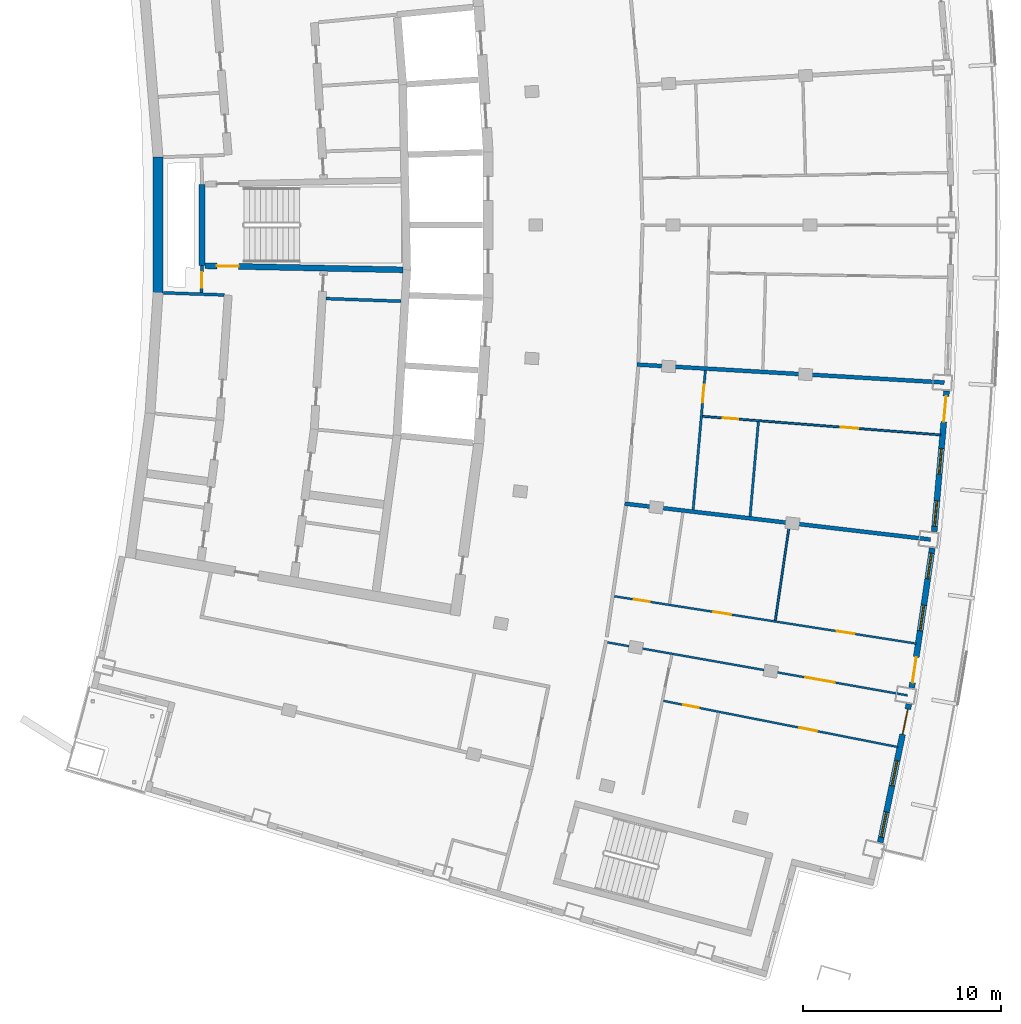
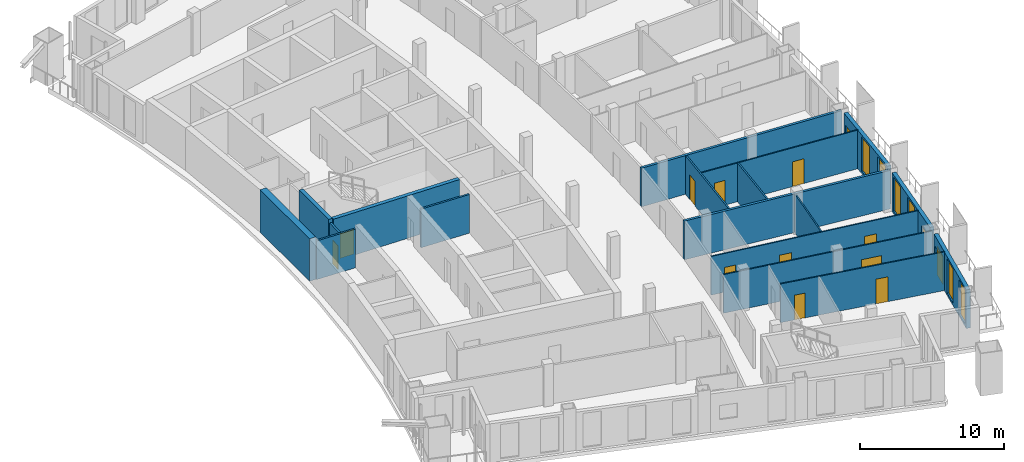
# One storey, part 9 of 17: 18 walls, 14 doors, 6 windows, 20 openings.
"""IFC4 building model written with IfcOpenShell, lengths in metres."""

from ifc_helpers import new_model, si_unit, direction, frame, frame_2d, origin, place, context, subcontext, project, spatial, rectangle, extrude, material, layer, layer_set, type_object, element, fill, save


model = new_model("IFC4")

# Units and contexts
model_context = context("Model", 3, precision=1e-05, world=origin(), true_north=direction((0.0, 1.0)))
body_context = subcontext(model_context, "Body", "Model", "MODEL_VIEW")
ifc_project = project(units=[si_unit("LENGTHUNIT", "METRE"), si_unit("AREAUNIT", "SQUARE_METRE"), si_unit("VOLUMEUNIT", "CUBIC_METRE"), si_unit("PLANEANGLEUNIT", "RADIAN"), si_unit("MASSUNIT", "GRAM", prefix="KILO")], contexts=[model_context])

# Site, building, storey
site_placement = place(None, origin())
site = spatial("IfcSite", under=ifc_project, at=site_placement, CompositionType="ELEMENT")
building_placement = place(site_placement, origin())
building = spatial("IfcBuilding", under=site, at=building_placement, Name="Alderwake Tower", CompositionType="ELEMENT")
storey_placement = place(building_placement, frame((0.0, 0.0, 260.0)))
storey = spatial("IfcBuildingStorey", under=building, at=storey_placement, Name="L64", CompositionType="ELEMENT", Elevation=260.0)

# Wall
ifc_material_1 = material(Name="Gypsum shaft wall system, rated")
ifc_layer_1 = layer(ifc_material_1, 0.14990234375)
ifc_layer_set_1 = layer_set([ifc_layer_1], Name="Core riser partition 150")
wall_type_1 = type_object("IfcWallType", Name="Core riser partition 150", PredefinedType="PARTITIONING", material=ifc_layer_set_1)
wall_1_placement = place(storey_placement, frame((25.1904296875, 57.276611328125, 0.0), z_axis=(0.0, 0.0, 1.0), x_axis=(0.999373547283, -0.03539086028, 0.0)))
element("IfcWall", 1, at=wall_1_placement, inside=storey, type_object=wall_type_1, Name="CW/L64/PR-37_+86", PredefinedType="PARTITIONING", context=body_context, shape_type="SweptSolid", body=[
    extrude(rectangle(XDim=3.794189453125, YDim=0.14990234375, at=frame_2d((1.89697265625, 0.0))), origin(), (0.0, 0.0, 1.0), 3.280029296875),
])

# Wall, opening, door
ifc_material_2 = material(Name="Gypsum shaft wall system, rated")
ifc_layer_2 = layer(ifc_material_2, 0.14990234375)
ifc_layer_set_2 = layer_set([ifc_layer_2], Name="Core room partition 150")
wall_type_2 = type_object("IfcWallType", Name="Core room partition 150", PredefinedType="PARTITIONING", material=ifc_layer_set_2)
wall_2_placement = place(storey_placement, frame((18.918701171875, 58.94384765625, 0.0), z_axis=(0.0, 0.0, 1.0), x_axis=(-0.027811602725, -0.999613182563, 0.0)))
wall_2 = element("IfcWall", 2, at=wall_2_placement, inside=storey, type_object=wall_type_2, Name="CW/L64/PA+24_-37", PredefinedType="PARTITIONING", context=body_context, shape_type="SweptSolid", body=[
    extrude(rectangle(XDim=1.369384765625, YDim=0.14990234375, at=frame_2d((0.6845703125, 0.0))), origin(), (0.0, 0.0, 1.0), 3.280029296875),
])
opening_1_placement = place(wall_2_placement, frame((0.322998046875, 0.0, 0.0)))
opening_1 = element("IfcOpeningElement", 3, at=opening_1_placement, cuts=wall_2, Name="Opening C004", PredefinedType="OPENING", context=body_context, shape_type="SweptSolid", body=[
    extrude(rectangle(XDim=0.800048828125, YDim=2.0, at=frame_2d((0.39990234375, 1.0))), frame((0.0, 0.0849609375, 0.0), z_axis=(0.0, -1.0, 0.0), x_axis=(1.0, 0.0, 0.0)), (0.0, 0.0, 1.0), 0.169921875),
])
ifc_material_3 = material(Name="Painted steel leaf, rated", Category="steel")
door_type_1 = type_object("IfcDoorType", Name="Riser access door 800", OperationType="SINGLE_SWING_LEFT", PredefinedType="DOOR", material=ifc_material_3)
door_1_placement = place(opening_1_placement, origin())
door_1 = element("IfcDoor", 4, at=door_1_placement, inside=storey, type_object=door_type_1, Name="Riser access door", OperationType="SINGLE_SWING_RIGHT", OverallHeight=2.0, OverallWidth=0.800048828125, PredefinedType="DOOR", context=body_context, shape_type="SweptSolid", body=[
    extrude(rectangle(XDim=0.800048828125, YDim=2.0, at=frame_2d((0.39990234375, 1.0))), frame((0.0, 0.02490234375, 0.0), z_axis=(0.0, -1.0, 0.0), x_axis=(1.0, 0.0, 0.0)), (0.0, 0.0, 1.0), 0.050048828125),
])
fill(opening_1, door_1)

# Walls
wall_3_placement = place(storey_placement, frame((16.969482421875, 57.5673828125, 0.0), z_axis=(0.0, 0.0, 1.0), x_axis=(0.999376258731, -0.035314210814, 0.0)))
element("IfcWall", 5, at=wall_3_placement, inside=storey, type_object=wall_type_2, Name="CW/L64/PR-37_+0", PredefinedType="PARTITIONING", context=body_context, shape_type="SweptSolid", body=[
    extrude(rectangle(XDim=3.069580078125, YDim=0.14990234375, at=frame_2d((1.53466796875, 0.0))), origin(), (0.0, 0.0, 1.0), 3.280029296875),
])
ifc_material_4 = material(Name="Concrete C70/85", Category="concrete")
ifc_layer_3 = layer(ifc_material_4, 0.5)
ifc_layer_set_3 = layer_set([ifc_layer_3], Name="Core wall outer 500 C70-85")
wall_type_3 = type_object("IfcWallType", Name="Core wall outer 500 C70-85", PredefinedType="SHEAR", material=ifc_layer_set_3)
wall_4_placement = place(storey_placement, frame((16.689453125, 57.568603515625, 0.0), z_axis=(0.0, 0.0, 1.0), x_axis=(0.0, 1.0, 0.0)))
element("IfcWall", 6, at=wall_4_placement, inside=storey, type_object=wall_type_3, Name="Core wall CW.029", PredefinedType="SHEAR", context=body_context, shape_type="SweptSolid", body=[
    extrude(rectangle(XDim=6.86474609375, YDim=0.5, at=frame_2d((3.432373046875, 0.0))), origin(), (0.0, 0.0, 1.0), 3.60009765625),
])
ifc_material_5 = material(Name="Concrete C70/85", Category="concrete")
ifc_layer_4 = layer(ifc_material_5, 0.300048828125)
ifc_layer_set_4 = layer_set([ifc_layer_4], Name="Core wall stair enclosure 300 C70-85")
wall_type_4 = type_object("IfcWallType", Name="Core wall stair enclosure 300 C70-85", PredefinedType="SHEAR", material=ifc_layer_set_4)
wall_5_placement = place(storey_placement, frame((18.918701171875, 58.940673828125, 0.0), z_axis=(0.0, 0.0, 1.0), x_axis=(0.0, 1.0, 0.0)))
element("IfcWall", 7, at=wall_5_placement, inside=storey, type_object=wall_type_4, Name="Core wall CW.024", PredefinedType="SHEAR", context=body_context, shape_type="SweptSolid", body=[
    extrude(rectangle(XDim=4.11962890625, YDim=0.300048828125, at=frame_2d((2.059814453125, 0.0))), origin(), (0.0, 0.0, 1.0), 3.60009765625),
])

# Wall, opening, door
wall_6_placement = place(storey_placement, frame((29.076416015625, 58.73095703125, 0.0), z_axis=(0.0, 0.0, 1.0), x_axis=(-0.99978356433, 0.020804434533, 0.0)))
wall_6 = element("IfcWall", 8, at=wall_6_placement, inside=storey, type_object=wall_type_4, Name="Core wall CW.074", PredefinedType="SHEAR", context=body_context, shape_type="SweptSolid", body=[
    extrude(rectangle(XDim=10.010009765625, YDim=0.300048828125, at=frame_2d((5.0048828125, 0.0))), origin(), (0.0, 0.0, 1.0), 3.60009765625),
])
opening_2_placement = place(wall_6_placement, frame((8.309814453125, 0.0, 0.0)))
opening_2 = element("IfcOpeningElement", 9, at=opening_2_placement, cuts=wall_6, Name="Opening C063", PredefinedType="OPENING", context=body_context, shape_type="SweptSolid", body=[
    extrude(rectangle(XDim=1.10009765625, YDim=2.10009765625, at=frame_2d((0.550048828125, 1.050048828125))), frame((0.0, 0.159912109375, 0.0), z_axis=(0.0, -1.0, 0.0), x_axis=(1.0, 0.0, 0.0)), (0.0, 0.0, 1.0), 0.320068359375),
])
ifc_material_6 = material(Name="Steel-framed fire door leaf", Category="steel")
door_type_2 = type_object("IfcDoorType", Name="Core stair door 1100 fire-rated", OperationType="SINGLE_SWING_LEFT", PredefinedType="DOOR", material=ifc_material_6)
door_2_placement = place(opening_2_placement, origin())
door_2 = element("IfcDoor", 10, at=door_2_placement, inside=storey, type_object=door_type_2, Name="Stair door", OperationType="SINGLE_SWING_RIGHT", OverallHeight=2.10009765625, OverallWidth=1.10009765625, PredefinedType="DOOR", context=body_context, shape_type="SweptSolid", body=[
    extrude(rectangle(XDim=1.10009765625, YDim=2.10009765625, at=frame_2d((0.550048828125, 1.050048828125))), frame((0.0, 0.02490234375, 0.0), z_axis=(0.0, -1.0, 0.0), x_axis=(1.0, 0.0, 0.0)), (0.0, 0.0, 1.0), 0.050048828125),
])
fill(opening_2, door_2)

# Wall, openings, door, windows
ifc_material_7 = material(Name="Precast concrete C50/60 spandrel panel", Category="concrete")
ifc_layer_5 = layer(ifc_material_7, 0.300048828125)
ifc_layer_set_5 = layer_set([ifc_layer_5], Name="External wall EW1 Precast concrete C50/60 spandrel")
wall_type_5 = type_object("IfcWallType", Name="External wall EW1 Precast concrete C50/60 spandrel", PredefinedType="SOLIDWALL", material=ifc_layer_set_5)
wall_7_placement = place(storey_placement, frame((53.226806640625, 29.770263671875, 0.0), z_axis=(0.0, 0.0, 1.0), x_axis=(0.202780898279, 0.979224135371, 0.0)))
wall_7 = element("IfcWall", 11, at=wall_7_placement, inside=storey, type_object=wall_type_5, Name="External wall 12", PredefinedType="SOLIDWALL", context=body_context, shape_type="SweptSolid", body=[
    extrude(rectangle(XDim=7.13818359375, YDim=0.300048828125, at=frame_2d((3.569091796875, 0.0))), origin(), (0.0, 0.0, 1.0), 3.280029296875),
])
opening_3_placement = place(wall_7_placement, frame((0.263427734375, 0.0, 0.199951171875)))
opening_3 = element("IfcOpeningElement", 12, at=opening_3_placement, cuts=wall_7, Name="Opening W1", PredefinedType="OPENING", context=body_context, shape_type="SweptSolid", body=[
    extrude(rectangle(XDim=1.300048828125, YDim=2.89990234375, at=frame_2d((0.64990234375, 1.449951171875))), frame((0.0, 0.159912109375, 0.0), z_axis=(0.0, -1.0, 0.0), x_axis=(1.0, 0.0, 0.0)), (0.0, 0.0, 1.0), 0.320068359375),
])
opening_4_placement = place(wall_7_placement, frame((2.919189453125, 0.0, 0.199951171875)))
opening_4 = element("IfcOpeningElement", 13, at=opening_4_placement, cuts=wall_7, Name="Opening W1", PredefinedType="OPENING", context=body_context, shape_type="SweptSolid", body=[
    extrude(rectangle(XDim=1.300048828125, YDim=2.89990234375, at=frame_2d((0.64990234375, 1.449951171875))), frame((0.0, 0.159912109375, 0.0), z_axis=(0.0, -1.0, 0.0), x_axis=(1.0, 0.0, 0.0)), (0.0, 0.0, 1.0), 0.320068359375),
])
opening_5_placement = place(wall_7_placement, frame((5.574951171875, 0.0, 0.0)))
opening_5 = element("IfcOpeningElement", 14, at=opening_5_placement, cuts=wall_7, Name="Opening D02", PredefinedType="OPENING", context=body_context, shape_type="SweptSolid", body=[
    extrude(rectangle(XDim=1.300048828125, YDim=2.39990234375, at=frame_2d((0.64990234375, 1.199951171875))), frame((0.0, 0.159912109375, 0.0), z_axis=(0.0, -1.0, 0.0), x_axis=(1.0, 0.0, 0.0)), (0.0, 0.0, 1.0), 0.320068359375),
])
ifc_material_8 = material(Name="Bronze tinted glass in aluminium frame", Category="aluminium")
door_type_3 = type_object("IfcDoorType", Name="Balcony door BD sliding", OperationType="SLIDING_TO_LEFT", PredefinedType="DOOR", material=ifc_material_8)
door_3_placement = place(opening_5_placement, origin())
door_3 = element("IfcDoor", 15, at=door_3_placement, inside=storey, type_object=door_type_3, Name="Door D02", OperationType="SLIDING_TO_LEFT", OverallHeight=2.39990234375, OverallWidth=1.300048828125, PredefinedType="DOOR", context=body_context, shape_type="SweptSolid", body=[
    extrude(rectangle(XDim=1.300048828125, YDim=2.39990234375, at=frame_2d((0.64990234375, 1.199951171875))), frame((0.0, 0.02490234375, 0.0), z_axis=(0.0, -1.0, 0.0), x_axis=(1.0, 0.0, 0.0)), (0.0, 0.0, 1.0), 0.050048828125),
])
fill(opening_5, door_3)
ifc_material_9 = material(Name="Bronze tinted glass in aluminium frame", Category="aluminium")
window_type = type_object("IfcWindowType", Name="Window W1 tall fixed and vent", PartitioningType="DOUBLE_PANEL_VERTICAL", PredefinedType="WINDOW", material=ifc_material_9)
window_1_placement = place(opening_3_placement, origin())
window_1 = element("IfcWindow", 16, at=window_1_placement, inside=storey, type_object=window_type, Name="Window W1 tall fixed and vent", OverallHeight=2.89990234375, OverallWidth=1.300048828125, PartitioningType="DOUBLE_PANEL_VERTICAL", PredefinedType="WINDOW", context=body_context, shape_type="SweptSolid", body=[
    extrude(rectangle(XDim=1.300048828125, YDim=2.89990234375, at=frame_2d((0.64990234375, 1.449951171875))), frame((0.0, 0.030029296875, 0.0), z_axis=(0.0, -1.0, 0.0), x_axis=(1.0, 0.0, 0.0)), (0.0, 0.0, 1.0), 0.06005859375),
])
fill(opening_3, window_1)
window_2_placement = place(opening_4_placement, origin())
window_2 = element("IfcWindow", 17, at=window_2_placement, inside=storey, type_object=window_type, Name="Window W1 tall fixed and vent", OverallHeight=2.89990234375, OverallWidth=1.300048828125, PartitioningType="DOUBLE_PANEL_VERTICAL", PredefinedType="WINDOW", context=body_context, shape_type="SweptSolid", body=[
    extrude(rectangle(XDim=1.300048828125, YDim=2.89990234375, at=frame_2d((0.64990234375, 1.449951171875))), frame((0.0, 0.030029296875, 0.0), z_axis=(0.0, -1.0, 0.0), x_axis=(1.0, 0.0, 0.0)), (0.0, 0.0, 1.0), 0.06005859375),
])
fill(opening_4, window_2)

wall_8_placement = place(storey_placement, frame((54.821044921875, 37.590576171875, 0.0), z_axis=(0.0, 0.0, 1.0), x_axis=(0.145317744338, 0.98938503788, 0.0)))
wall_8 = element("IfcWall", 18, at=wall_8_placement, inside=storey, type_object=wall_type_5, Name="External wall 13", PredefinedType="SOLIDWALL", context=body_context, shape_type="SweptSolid", body=[
    extrude(rectangle(XDim=7.138427734375, YDim=0.300048828125, at=frame_2d((3.5693359375, 0.0))), origin(), (0.0, 0.0, 1.0), 3.280029296875),
])
opening_6_placement = place(wall_8_placement, frame((0.263427734375, 0.0, 0.0)))
opening_6 = element("IfcOpeningElement", 19, at=opening_6_placement, cuts=wall_8, Name="Opening D03", PredefinedType="OPENING", context=body_context, shape_type="SweptSolid", body=[
    extrude(rectangle(XDim=1.300048828125, YDim=2.39990234375, at=frame_2d((0.64990234375, 1.199951171875))), frame((0.0, 0.159912109375, 0.0), z_axis=(0.0, -1.0, 0.0), x_axis=(1.0, 0.0, 0.0)), (0.0, 0.0, 1.0), 0.320068359375),
])
opening_7_placement = place(wall_8_placement, frame((2.919189453125, 0.0, 0.199951171875)))
opening_7 = element("IfcOpeningElement", 20, at=opening_7_placement, cuts=wall_8, Name="Opening W1", PredefinedType="OPENING", context=body_context, shape_type="SweptSolid", body=[
    extrude(rectangle(XDim=1.300048828125, YDim=2.89990234375, at=frame_2d((0.64990234375, 1.449951171875))), frame((0.0, 0.159912109375, 0.0), z_axis=(0.0, -1.0, 0.0), x_axis=(1.0, 0.0, 0.0)), (0.0, 0.0, 1.0), 0.320068359375),
])
opening_8_placement = place(wall_8_placement, frame((5.574951171875, 0.0, 0.199951171875)))
opening_8 = element("IfcOpeningElement", 21, at=opening_8_placement, cuts=wall_8, Name="Opening W1", PredefinedType="OPENING", context=body_context, shape_type="SweptSolid", body=[
    extrude(rectangle(XDim=1.300048828125, YDim=2.89990234375, at=frame_2d((0.64990234375, 1.449951171875))), frame((0.0, 0.159912109375, 0.0), z_axis=(0.0, -1.0, 0.0), x_axis=(1.0, 0.0, 0.0)), (0.0, 0.0, 1.0), 0.320068359375),
])
door_4_placement = place(opening_6_placement, origin())
door_4 = element("IfcDoor", 22, at=door_4_placement, inside=storey, type_object=door_type_3, Name="Door D03", OperationType="SLIDING_TO_LEFT", OverallHeight=2.39990234375, OverallWidth=1.300048828125, PredefinedType="DOOR", context=body_context, shape_type="SweptSolid", body=[
    extrude(rectangle(XDim=1.300048828125, YDim=2.39990234375, at=frame_2d((0.64990234375, 1.199951171875))), frame((0.0, 0.02490234375, 0.0), z_axis=(0.0, -1.0, 0.0), x_axis=(1.0, 0.0, 0.0)), (0.0, 0.0, 1.0), 0.050048828125),
])
fill(opening_6, door_4)
window_3_placement = place(opening_7_placement, origin())
window_3 = element("IfcWindow", 23, at=window_3_placement, inside=storey, type_object=window_type, Name="Window W1 tall fixed and vent", OverallHeight=2.89990234375, OverallWidth=1.300048828125, PartitioningType="DOUBLE_PANEL_VERTICAL", PredefinedType="WINDOW", context=body_context, shape_type="SweptSolid", body=[
    extrude(rectangle(XDim=1.300048828125, YDim=2.89990234375, at=frame_2d((0.64990234375, 1.449951171875))), frame((0.0, 0.030029296875, 0.0), z_axis=(0.0, -1.0, 0.0), x_axis=(1.0, 0.0, 0.0)), (0.0, 0.0, 1.0), 0.06005859375),
])
fill(opening_7, window_3)
window_4_placement = place(opening_8_placement, origin())
window_4 = element("IfcWindow", 24, at=window_4_placement, inside=storey, type_object=window_type, Name="Window W1 tall fixed and vent", OverallHeight=2.89990234375, OverallWidth=1.300048828125, PartitioningType="DOUBLE_PANEL_VERTICAL", PredefinedType="WINDOW", context=body_context, shape_type="SweptSolid", body=[
    extrude(rectangle(XDim=1.300048828125, YDim=2.89990234375, at=frame_2d((0.64990234375, 1.449951171875))), frame((0.0, 0.030029296875, 0.0), z_axis=(0.0, -1.0, 0.0), x_axis=(1.0, 0.0, 0.0)), (0.0, 0.0, 1.0), 0.06005859375),
])
fill(opening_8, window_4)

wall_9_placement = place(storey_placement, frame((55.95654296875, 45.490478515625, 0.0), z_axis=(0.0, 0.0, 1.0), x_axis=(0.087383747715, 0.996174723949, 0.0)))
wall_9 = element("IfcWall", 25, at=wall_9_placement, inside=storey, type_object=wall_type_5, Name="External wall 14", PredefinedType="SOLIDWALL", context=body_context, shape_type="SweptSolid", body=[
    extrude(rectangle(XDim=7.138427734375, YDim=0.300048828125, at=frame_2d((3.5693359375, 0.0))), origin(), (0.0, 0.0, 1.0), 3.280029296875),
])
opening_9_placement = place(wall_9_placement, frame((0.263427734375, 0.0, 0.199951171875)))
opening_9 = element("IfcOpeningElement", 26, at=opening_9_placement, cuts=wall_9, Name="Opening W1", PredefinedType="OPENING", context=body_context, shape_type="SweptSolid", body=[
    extrude(rectangle(XDim=1.300048828125, YDim=2.89990234375, at=frame_2d((0.64990234375, 1.449951171875))), frame((0.0, 0.159912109375, 0.0), z_axis=(0.0, -1.0, 0.0), x_axis=(1.0, 0.0, 0.0)), (0.0, 0.0, 1.0), 0.320068359375),
])
opening_10_placement = place(wall_9_placement, frame((2.919189453125, 0.0, 0.199951171875)))
opening_10 = element("IfcOpeningElement", 27, at=opening_10_placement, cuts=wall_9, Name="Opening W1", PredefinedType="OPENING", context=body_context, shape_type="SweptSolid", body=[
    extrude(rectangle(XDim=1.300048828125, YDim=2.89990234375, at=frame_2d((0.64990234375, 1.449951171875))), frame((0.0, 0.159912109375, 0.0), z_axis=(0.0, -1.0, 0.0), x_axis=(1.0, 0.0, 0.0)), (0.0, 0.0, 1.0), 0.320068359375),
])
opening_11_placement = place(wall_9_placement, frame((5.574951171875, 0.0, 0.0)))
opening_11 = element("IfcOpeningElement", 28, at=opening_11_placement, cuts=wall_9, Name="Opening D04", PredefinedType="OPENING", context=body_context, shape_type="SweptSolid", body=[
    extrude(rectangle(XDim=1.300048828125, YDim=2.39990234375, at=frame_2d((0.64990234375, 1.199951171875))), frame((0.0, 0.159912109375, 0.0), z_axis=(0.0, -1.0, 0.0), x_axis=(1.0, 0.0, 0.0)), (0.0, 0.0, 1.0), 0.320068359375),
])
door_5_placement = place(opening_11_placement, origin())
door_5 = element("IfcDoor", 29, at=door_5_placement, inside=storey, type_object=door_type_3, Name="Door D04", OperationType="SLIDING_TO_LEFT", OverallHeight=2.39990234375, OverallWidth=1.300048828125, PredefinedType="DOOR", context=body_context, shape_type="SweptSolid", body=[
    extrude(rectangle(XDim=1.300048828125, YDim=2.39990234375, at=frame_2d((0.64990234375, 1.199951171875))), frame((0.0, 0.02490234375, 0.0), z_axis=(0.0, -1.0, 0.0), x_axis=(1.0, 0.0, 0.0)), (0.0, 0.0, 1.0), 0.050048828125),
])
fill(opening_11, door_5)
window_5_placement = place(opening_9_placement, origin())
window_5 = element("IfcWindow", 30, at=window_5_placement, inside=storey, type_object=window_type, Name="Window W1 tall fixed and vent", OverallHeight=2.89990234375, OverallWidth=1.300048828125, PartitioningType="DOUBLE_PANEL_VERTICAL", PredefinedType="WINDOW", context=body_context, shape_type="SweptSolid", body=[
    extrude(rectangle(XDim=1.300048828125, YDim=2.89990234375, at=frame_2d((0.64990234375, 1.449951171875))), frame((0.0, 0.030029296875, 0.0), z_axis=(0.0, -1.0, 0.0), x_axis=(1.0, 0.0, 0.0)), (0.0, 0.0, 1.0), 0.06005859375),
])
fill(opening_9, window_5)
window_6_placement = place(opening_10_placement, origin())
window_6 = element("IfcWindow", 31, at=window_6_placement, inside=storey, type_object=window_type, Name="Window W1 tall fixed and vent", OverallHeight=2.89990234375, OverallWidth=1.300048828125, PartitioningType="DOUBLE_PANEL_VERTICAL", PredefinedType="WINDOW", context=body_context, shape_type="SweptSolid", body=[
    extrude(rectangle(XDim=1.300048828125, YDim=2.89990234375, at=frame_2d((0.64990234375, 1.449951171875))), frame((0.0, 0.030029296875, 0.0), z_axis=(0.0, -1.0, 0.0), x_axis=(1.0, 0.0, 0.0)), (0.0, 0.0, 1.0), 0.06005859375),
])
fill(opening_10, window_6)

# Walls
ifc_material_10 = material(Name="Dense block masonry wall", Category="masonry")
ifc_layer_6 = layer(ifc_material_10, 0.199951171875)
ifc_layer_set_6 = layer_set([ifc_layer_6], Name="Party wall 200")
wall_type_6 = type_object("IfcWallType", Name="Party wall 200", PredefinedType="SOLIDWALL", material=ifc_layer_set_6)
wall_10_placement = place(storey_placement, frame((40.297607421875, 46.90234375, 0.0), z_axis=(0.0, 0.0, 1.0), x_axis=(0.993186713738, -0.116533907745, 0.0)))
element("IfcWall", 32, at=wall_10_placement, inside=storey, type_object=wall_type_6, Name="WL/L64/W01", PredefinedType="SOLIDWALL", context=body_context, shape_type="SweptSolid", body=[
    extrude(rectangle(XDim=15.57861328125, YDim=0.199951171875, at=frame_2d((7.789306640625, 0.0))), origin(), (0.0, 0.0, 1.0), 3.280029296875),
])
wall_11_placement = place(storey_placement, frame((56.466064453125, 53.031005859375, 0.0), z_axis=(0.0, 0.0, 1.0), x_axis=(-0.998300806671, 0.058270913845, 0.0)))
element("IfcWall", 33, at=wall_11_placement, inside=storey, type_object=wall_type_6, Name="WL/L64/W03", PredefinedType="SOLIDWALL", context=body_context, shape_type="SweptSolid", body=[
    extrude(rectangle(XDim=15.577392578125, YDim=0.199951171875, at=frame_2d((7.78857421875, 0.0))), origin(), (0.0, 0.0, 1.0), 3.280029296875),
])

# Wall, opening, door
ifc_material_11 = material(Name="Gypsum board on metal studs")
ifc_layer_7 = layer(ifc_material_11, 0.10009765625)
ifc_layer_set_7 = layer_set([ifc_layer_7], Name="Unit partition 100")
wall_type_7 = type_object("IfcWallType", Name="Unit partition 100", PredefinedType="PARTITIONING", material=ifc_layer_set_7)
wall_12_placement = place(storey_placement, frame((39.4267578125, 39.883056640625, 0.0), z_axis=(0.0, 0.0, 1.0), x_axis=(0.984746399753, -0.173995770564, 0.0)))
wall_12 = element("IfcWall", 34, at=wall_12_placement, inside=storey, type_object=wall_type_7, Name="WL/L64/W44", PredefinedType="PARTITIONING", context=body_context, shape_type="SweptSolid", body=[
    extrude(rectangle(XDim=15.42041015625, YDim=0.10009765625, at=frame_2d((7.710205078125, 0.0))), origin(), (0.0, 0.0, 1.0), 3.280029296875),
])
opening_12_placement = place(wall_12_placement, frame((10.17431640625, 0.0, 0.0)))
opening_12 = element("IfcOpeningElement", 35, at=opening_12_placement, cuts=wall_12, Name="Opening R18-U03.8", PredefinedType="OPENING", context=body_context, shape_type="SweptSolid", body=[
    extrude(rectangle(XDim=1.5, YDim=2.10009765625, at=frame_2d((0.75, 1.050048828125))), frame((0.0, 0.06005859375, 0.0), z_axis=(0.0, -1.0, 0.0), x_axis=(1.0, 0.0, 0.0)), (0.0, 0.0, 1.0), 0.1201171875),
])
ifc_material_12 = material(Name="Painted timber leaves", Category="wood")
door_type_4 = type_object("IfcDoorType", Name="Double leaf door 1500", OperationType="DOUBLE_DOOR_SINGLE_SWING", PredefinedType="DOOR", material=ifc_material_12)
door_6_placement = place(opening_12_placement, origin())
door_6 = element("IfcDoor", 36, at=door_6_placement, inside=storey, type_object=door_type_4, Name="DR/L64/U03.8", OperationType="DOUBLE_DOOR_SINGLE_SWING", OverallHeight=2.10009765625, OverallWidth=1.5, PredefinedType="DOOR", context=body_context, shape_type="SweptSolid", body=[
    extrude(rectangle(XDim=1.5, YDim=2.10009765625, at=frame_2d((0.75, 1.050048828125))), frame((0.0, 0.02490234375, 0.0), z_axis=(0.0, -1.0, 0.0), x_axis=(1.0, 0.0, 0.0)), (0.0, 0.0, 1.0), 0.050048828125),
])
fill(opening_12, door_6)

# Wall, openings, doors
wall_13_placement = place(storey_placement, frame((39.76904296875, 42.215576171875, 0.0), z_axis=(0.0, 0.0, 1.0), x_axis=(0.987949269918, -0.15477803484, 0.0)))
wall_13 = element("IfcWall", 37, at=wall_13_placement, inside=storey, type_object=wall_type_7, Name="WL/L64/W45", PredefinedType="PARTITIONING", context=body_context, shape_type="SweptSolid", body=[
    extrude(rectangle(XDim=15.46435546875, YDim=0.10009765625, at=frame_2d((7.732177734375, 0.0))), origin(), (0.0, 0.0, 1.0), 3.280029296875),
])
opening_13_placement = place(wall_13_placement, frame((5.07958984375, 0.0, 0.0)))
opening_13 = element("IfcOpeningElement", 38, at=opening_13_placement, cuts=wall_13, Name="Opening R18-U03.5", PredefinedType="OPENING", context=body_context, shape_type="SweptSolid", body=[
    extrude(rectangle(XDim=0.89990234375, YDim=2.10009765625, at=frame_2d((0.449951171875, 1.050048828125))), frame((0.0, 0.06005859375, 0.0), z_axis=(0.0, -1.0, 0.0), x_axis=(1.0, 0.0, 0.0)), (0.0, 0.0, 1.0), 0.1201171875),
])
opening_14_placement = place(wall_13_placement, frame((1.010009765625, 0.0, 0.0)))
opening_14 = element("IfcOpeningElement", 39, at=opening_14_placement, cuts=wall_13, Name="Opening R18-U03.6", PredefinedType="OPENING", context=body_context, shape_type="SweptSolid", body=[
    extrude(rectangle(XDim=0.800048828125, YDim=2.10009765625, at=frame_2d((0.39990234375, 1.050048828125))), frame((0.0, 0.06005859375, 0.0), z_axis=(0.0, -1.0, 0.0), x_axis=(1.0, 0.0, 0.0)), (0.0, 0.0, 1.0), 0.1201171875),
])
opening_15_placement = place(wall_13_placement, frame((11.4013671875, 0.0, 0.0)))
opening_15 = element("IfcOpeningElement", 40, at=opening_15_placement, cuts=wall_13, Name="Opening R18-U03.7", PredefinedType="OPENING", context=body_context, shape_type="SweptSolid", body=[
    extrude(rectangle(XDim=0.89990234375, YDim=2.10009765625, at=frame_2d((0.449951171875, 1.050048828125))), frame((0.0, 0.06005859375, 0.0), z_axis=(0.0, -1.0, 0.0), x_axis=(1.0, 0.0, 0.0)), (0.0, 0.0, 1.0), 0.1201171875),
])
ifc_material_13 = material(Name="Painted timber leaf", Category="wood")
door_type_5 = type_object("IfcDoorType", Name="Bathroom door 800", OperationType="SINGLE_SWING_LEFT", PredefinedType="DOOR", material=ifc_material_13)
door_7_placement = place(opening_14_placement, origin())
door_7 = element("IfcDoor", 41, at=door_7_placement, inside=storey, type_object=door_type_5, Name="DR/L64/U03.6", OperationType="SINGLE_SWING_LEFT", OverallHeight=2.10009765625, OverallWidth=0.800048828125, PredefinedType="DOOR", context=body_context, shape_type="SweptSolid", body=[
    extrude(rectangle(XDim=0.800048828125, YDim=2.10009765625, at=frame_2d((0.39990234375, 1.050048828125))), frame((0.0, 0.02490234375, 0.0), z_axis=(0.0, -1.0, 0.0), x_axis=(1.0, 0.0, 0.0)), (0.0, 0.0, 1.0), 0.050048828125),
])
fill(opening_14, door_7)
ifc_material_14 = material(Name="Painted timber leaf", Category="wood")
door_type_6 = type_object("IfcDoorType", Name="Room door 900", OperationType="SINGLE_SWING_LEFT", PredefinedType="DOOR", material=ifc_material_14)
door_8_placement = place(opening_13_placement, origin())
door_8 = element("IfcDoor", 42, at=door_8_placement, inside=storey, type_object=door_type_6, Name="DR/L64/U03.5", OperationType="SINGLE_SWING_LEFT", OverallHeight=2.10009765625, OverallWidth=0.89990234375, PredefinedType="DOOR", context=body_context, shape_type="SweptSolid", body=[
    extrude(rectangle(XDim=0.89990234375, YDim=2.10009765625, at=frame_2d((0.449951171875, 1.050048828125))), frame((0.0, 0.02490234375, 0.0), z_axis=(0.0, -1.0, 0.0), x_axis=(1.0, 0.0, 0.0)), (0.0, 0.0, 1.0), 0.050048828125),
])
fill(opening_13, door_8)
door_9_placement = place(opening_15_placement, origin())
door_9 = element("IfcDoor", 43, at=door_9_placement, inside=storey, type_object=door_type_6, Name="DR/L64/U03.7", OperationType="SINGLE_SWING_LEFT", OverallHeight=2.10009765625, OverallWidth=0.89990234375, PredefinedType="DOOR", context=body_context, shape_type="SweptSolid", body=[
    extrude(rectangle(XDim=0.89990234375, YDim=2.10009765625, at=frame_2d((0.449951171875, 1.050048828125))), frame((0.0, 0.02490234375, 0.0), z_axis=(0.0, -1.0, 0.0), x_axis=(1.0, 0.0, 0.0)), (0.0, 0.0, 1.0), 0.050048828125),
])
fill(opening_15, door_9)

wall_14_placement = place(storey_placement, frame((54.1201171875, 34.5869140625, 0.0), z_axis=(0.0, 0.0, 1.0), x_axis=(-0.98115541296, 0.193220225697, 0.0)))
wall_14 = element("IfcWall", 44, at=wall_14_placement, inside=storey, type_object=wall_type_7, Name="WL/L64/W48", PredefinedType="PARTITIONING", context=body_context, shape_type="SweptSolid", body=[
    extrude(rectangle(XDim=12.08203125, YDim=0.10009765625, at=frame_2d((6.041015625, 0.0))), origin(), (0.0, 0.0, 1.0), 3.280029296875),
])
opening_16_placement = place(wall_14_placement, frame((10.262939453125, 0.0, 0.0)))
opening_16 = element("IfcOpeningElement", 45, at=opening_16_placement, cuts=wall_14, Name="Opening R18-U03.3", PredefinedType="OPENING", context=body_context, shape_type="SweptSolid", body=[
    extrude(rectangle(XDim=0.800048828125, YDim=2.10009765625, at=frame_2d((0.39990234375, 1.050048828125))), frame((0.0, 0.06005859375, 0.0), z_axis=(0.0, -1.0, 0.0), x_axis=(1.0, 0.0, 0.0)), (0.0, 0.0, 1.0), 0.1201171875),
])
opening_17_placement = place(wall_14_placement, frame((4.172119140625, 0.0, 0.0)))
opening_17 = element("IfcOpeningElement", 46, at=opening_17_placement, cuts=wall_14, Name="Opening R18-U03.4", PredefinedType="OPENING", context=body_context, shape_type="SweptSolid", body=[
    extrude(rectangle(XDim=0.89990234375, YDim=2.10009765625, at=frame_2d((0.449951171875, 1.050048828125))), frame((0.0, 0.06005859375, 0.0), z_axis=(0.0, -1.0, 0.0), x_axis=(1.0, 0.0, 0.0)), (0.0, 0.0, 1.0), 0.1201171875),
])
door_10_placement = place(opening_16_placement, origin())
door_10 = element("IfcDoor", 47, at=door_10_placement, inside=storey, type_object=door_type_5, Name="DR/L64/U03.3", OperationType="SINGLE_SWING_LEFT", OverallHeight=2.10009765625, OverallWidth=0.800048828125, PredefinedType="DOOR", context=body_context, shape_type="SweptSolid", body=[
    extrude(rectangle(XDim=0.800048828125, YDim=2.10009765625, at=frame_2d((0.39990234375, 1.050048828125))), frame((0.0, 0.02490234375, 0.0), z_axis=(0.0, -1.0, 0.0), x_axis=(1.0, 0.0, 0.0)), (0.0, 0.0, 1.0), 0.050048828125),
])
fill(opening_16, door_10)
door_11_placement = place(opening_17_placement, origin())
door_11 = element("IfcDoor", 48, at=door_11_placement, inside=storey, type_object=door_type_6, Name="DR/L64/U03.4", OperationType="SINGLE_SWING_LEFT", OverallHeight=2.10009765625, OverallWidth=0.89990234375, PredefinedType="DOOR", context=body_context, shape_type="SweptSolid", body=[
    extrude(rectangle(XDim=0.89990234375, YDim=2.10009765625, at=frame_2d((0.449951171875, 1.050048828125))), frame((0.0, 0.02490234375, 0.0), z_axis=(0.0, -1.0, 0.0), x_axis=(1.0, 0.0, 0.0)), (0.0, 0.0, 1.0), 0.050048828125),
])
fill(opening_17, door_11)

wall_15_placement = place(storey_placement, frame((56.282958984375, 50.37890625, 0.0), z_axis=(0.0, 0.0, 1.0), x_axis=(-0.996967458022, 0.077819583949, 0.0)))
wall_15 = element("IfcWall", 49, at=wall_15_placement, inside=storey, type_object=wall_type_7, Name="WL/L64/W50", PredefinedType="PARTITIONING", context=body_context, shape_type="SweptSolid", body=[
    extrude(rectangle(XDim=12.084716796875, YDim=0.10009765625, at=frame_2d((6.04248046875, 0.0))), origin(), (0.0, 0.0, 1.0), 3.280029296875),
])
opening_18_placement = place(wall_15_placement, frame((10.2646484375, 0.0, 0.0)))
opening_18 = element("IfcOpeningElement", 50, at=opening_18_placement, cuts=wall_15, Name="Opening R18-U04.3", PredefinedType="OPENING", context=body_context, shape_type="SweptSolid", body=[
    extrude(rectangle(XDim=0.800048828125, YDim=2.10009765625, at=frame_2d((0.39990234375, 1.050048828125))), frame((0.0, 0.06005859375, 0.0), z_axis=(0.0, -1.0, 0.0), x_axis=(1.0, 0.0, 0.0)), (0.0, 0.0, 1.0), 0.1201171875),
])
opening_19_placement = place(wall_15_placement, frame((4.172119140625, 0.0, 0.0)))
opening_19 = element("IfcOpeningElement", 51, at=opening_19_placement, cuts=wall_15, Name="Opening R18-U04.4", PredefinedType="OPENING", context=body_context, shape_type="SweptSolid", body=[
    extrude(rectangle(XDim=0.89990234375, YDim=2.10009765625, at=frame_2d((0.449951171875, 1.050048828125))), frame((0.0, 0.06005859375, 0.0), z_axis=(0.0, -1.0, 0.0), x_axis=(1.0, 0.0, 0.0)), (0.0, 0.0, 1.0), 0.1201171875),
])
door_12_placement = place(opening_18_placement, origin())
door_12 = element("IfcDoor", 52, at=door_12_placement, inside=storey, type_object=door_type_5, Name="DR/L64/U04.3", OperationType="SINGLE_SWING_LEFT", OverallHeight=2.10009765625, OverallWidth=0.800048828125, PredefinedType="DOOR", context=body_context, shape_type="SweptSolid", body=[
    extrude(rectangle(XDim=0.800048828125, YDim=2.10009765625, at=frame_2d((0.39990234375, 1.050048828125))), frame((0.0, 0.02490234375, 0.0), z_axis=(0.0, -1.0, 0.0), x_axis=(1.0, 0.0, 0.0)), (0.0, 0.0, 1.0), 0.050048828125),
])
fill(opening_18, door_12)
door_13_placement = place(opening_19_placement, origin())
door_13 = element("IfcDoor", 53, at=door_13_placement, inside=storey, type_object=door_type_6, Name="DR/L64/U04.4", OperationType="SINGLE_SWING_LEFT", OverallHeight=2.10009765625, OverallWidth=0.89990234375, PredefinedType="DOOR", context=body_context, shape_type="SweptSolid", body=[
    extrude(rectangle(XDim=0.89990234375, YDim=2.10009765625, at=frame_2d((0.449951171875, 1.050048828125))), frame((0.0, 0.02490234375, 0.0), z_axis=(0.0, -1.0, 0.0), x_axis=(1.0, 0.0, 0.0)), (0.0, 0.0, 1.0), 0.050048828125),
])
fill(opening_19, door_13)

# Wall
wall_16_placement = place(storey_placement, frame((47.917236328125, 40.990478515625, 0.0), z_axis=(0.0, 0.0, 1.0), x_axis=(0.145344393885, 0.989381123312, 0.0)))
element("IfcWall", 54, at=wall_16_placement, inside=storey, type_object=wall_type_7, Name="WL/L64/W52", PredefinedType="PARTITIONING", context=body_context, shape_type="SweptSolid", body=[
    extrude(rectangle(XDim=4.886474609375, YDim=0.10009765625, at=frame_2d((2.443359375, 0.0))), origin(), (0.0, 0.0, 1.0), 3.280029296875),
])

# Wall, opening, door
ifc_material_15 = material(Name="Moisture resistant gypsum board on metal studs")
ifc_layer_8 = layer(ifc_material_15, 0.1201171875)
ifc_layer_set_8 = layer_set([ifc_layer_8], Name="Wet room partition 120")
wall_type_8 = type_object("IfcWallType", Name="Wet room partition 120", PredefinedType="PARTITIONING", material=ifc_layer_set_8)
wall_17_placement = place(storey_placement, frame((44.379150390625, 53.63623046875, 0.0), z_axis=(0.0, 0.0, 1.0), x_axis=(-0.087510659507, -0.996163583189, 0.0)))
wall_17 = element("IfcWall", 55, at=wall_17_placement, inside=storey, type_object=wall_type_8, Name="WL/L64/W37", PredefinedType="PARTITIONING", context=body_context, shape_type="SweptSolid", body=[
    extrude(rectangle(XDim=7.066650390625, YDim=0.1201171875, at=frame_2d((3.533203125, 0.0))), origin(), (0.0, 0.0, 1.0), 3.280029296875),
])
opening_20_placement = place(wall_17_placement, frame((0.711181640625, 0.0, 0.0)))
opening_20 = element("IfcOpeningElement", 56, at=opening_20_placement, cuts=wall_17, Name="Opening R18-U04.2", PredefinedType="OPENING", context=body_context, shape_type="SweptSolid", body=[
    extrude(rectangle(XDim=0.89990234375, YDim=2.10009765625, at=frame_2d((0.449951171875, 1.050048828125))), frame((0.0, 0.070068359375, 0.0), z_axis=(0.0, -1.0, 0.0), x_axis=(1.0, 0.0, 0.0)), (0.0, 0.0, 1.0), 0.14013671875),
])
door_14_placement = place(opening_20_placement, origin())
door_14 = element("IfcDoor", 57, at=door_14_placement, inside=storey, type_object=door_type_6, Name="DR/L64/U04.2", OperationType="SINGLE_SWING_LEFT", OverallHeight=2.10009765625, OverallWidth=0.89990234375, PredefinedType="DOOR", context=body_context, shape_type="SweptSolid", body=[
    extrude(rectangle(XDim=0.89990234375, YDim=2.10009765625, at=frame_2d((0.449951171875, 1.050048828125))), frame((0.0, 0.02490234375, 0.0), z_axis=(0.0, -1.0, 0.0), x_axis=(1.0, 0.0, 0.0)), (0.0, 0.0, 1.0), 0.050048828125),
])
fill(opening_20, door_14)

# Wall
wall_18_placement = place(storey_placement, frame((46.640869140625, 46.2578125, 0.0), z_axis=(0.0, 0.0, 1.0), x_axis=(0.087714452347, 0.996145659454, 0.0)))
element("IfcWall", 58, at=wall_18_placement, inside=storey, type_object=wall_type_8, Name="WL/L64/W41", PredefinedType="PARTITIONING", context=body_context, shape_type="SweptSolid", body=[
    extrude(rectangle(XDim=4.806884765625, YDim=0.1201171875, at=frame_2d((2.4033203125, 0.0))), origin(), (0.0, 0.0, 1.0), 3.280029296875),
])

save(model, "model.ifc")
